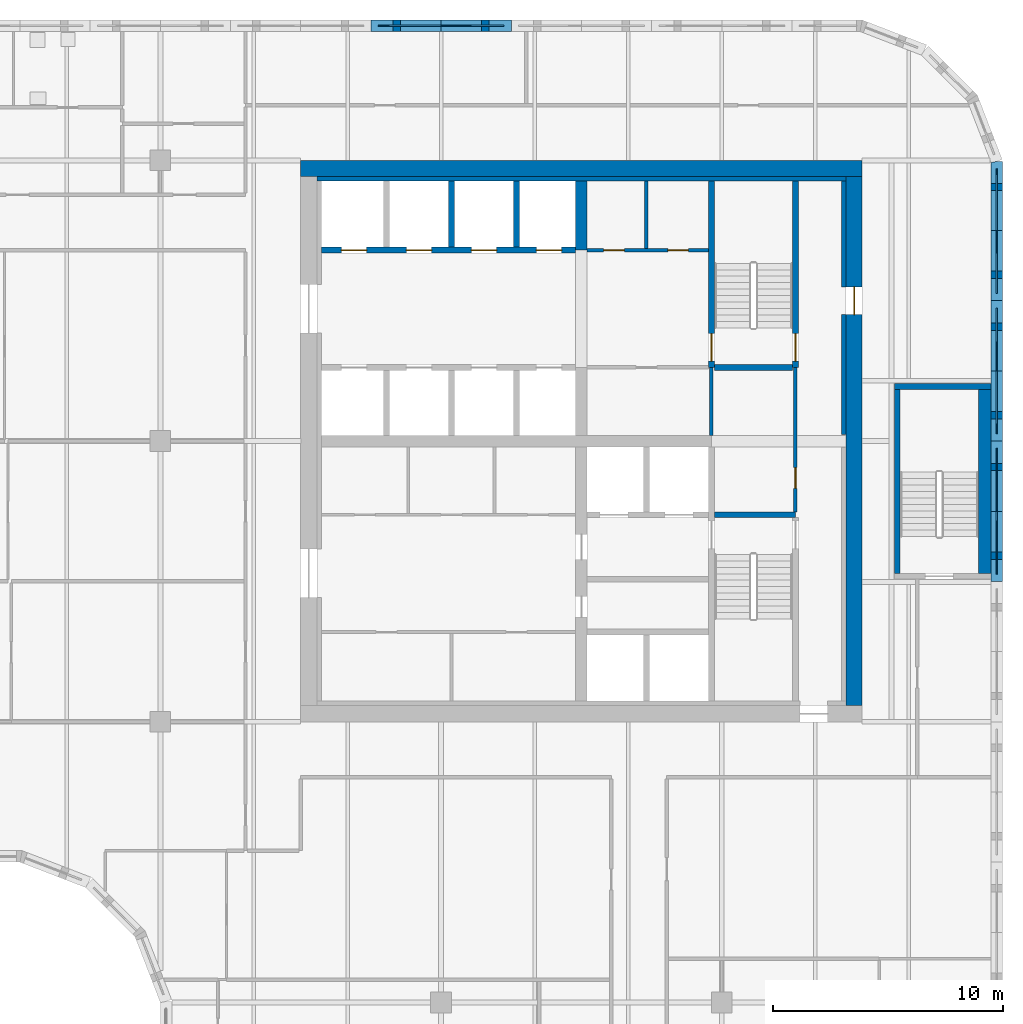
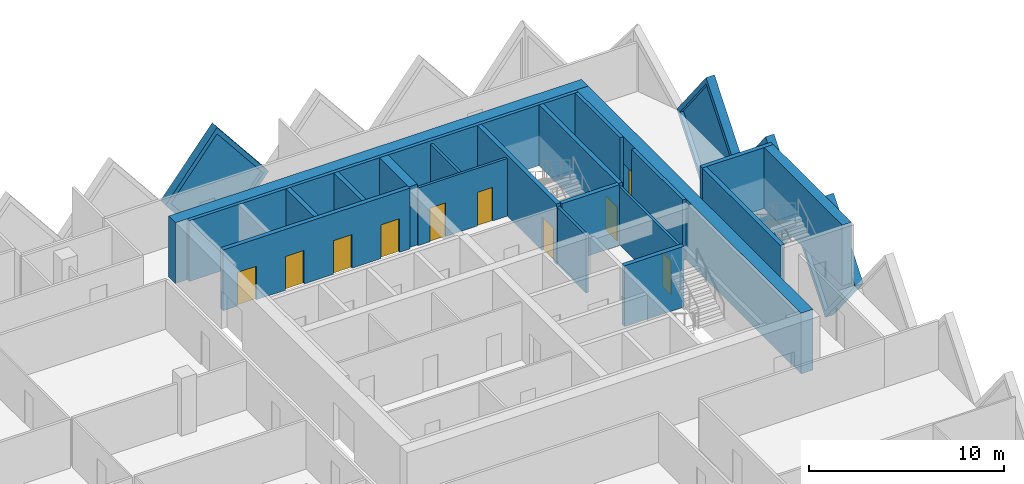
# One storey, part 9 of 13: 24 walls, 10 doors, 4 plates, 14 openings.
"""IFC4 building model written with IfcOpenShell, lengths in metres."""

from ifc_helpers import new_model, si_unit, direction, frame, frame_2d, origin, place, context, subcontext, project, spatial, polyline, rectangle, outline, extrude, faceted_brep, source, transform, mapped, material, layer, layer_set, type_object, element, fill, save


model = new_model("IFC4")

# Units and contexts
model_context = context("Model", 3, precision=1e-05, world=origin(), true_north=direction((0.0, 1.0)))
body_context = subcontext(model_context, "Body", "Model", "MODEL_VIEW")
ifc_project = project(units=[si_unit("LENGTHUNIT", "METRE"), si_unit("AREAUNIT", "SQUARE_METRE"), si_unit("VOLUMEUNIT", "CUBIC_METRE"), si_unit("PLANEANGLEUNIT", "RADIAN"), si_unit("MASSUNIT", "GRAM", prefix="KILO")], contexts=[model_context])

# Site, building, storey
site_placement = place(None, origin())
site = spatial("IfcSite", under=ifc_project, at=site_placement, CompositionType="ELEMENT")
building_placement = place(site_placement, origin())
building = spatial("IfcBuilding", under=site, at=building_placement, Name="Tessera Gate Towers", CompositionType="ELEMENT")
storey_placement = place(building_placement, frame((0.0, 0.0, 120.199951171875)))
storey = spatial("IfcBuildingStorey", under=building, at=storey_placement, Name="L29", CompositionType="ELEMENT", Elevation=120.199951171875)

# Wall, openings, doors
ifc_material_1 = material(Name="Concrete C40/50", Category="concrete")
ifc_layer_1 = layer(ifc_material_1, 0.25)
ifc_layer_set_1 = layer_set([ifc_layer_1], Name="CORE ENCLOSURE WALL 250")
wall_type_1 = type_object("IfcWallType", Name="CORE ENCLOSURE WALL 250", PredefinedType="SOLIDWALL", material=ifc_layer_set_1)
wall_1_placement = place(storey_placement, frame((42.449951171875, 44.89990234375, 0.0), z_axis=(0.0, 0.0, 1.0), x_axis=(-1.0, 0.0, 0.0)))
wall_1 = element("IfcWall", 1, at=wall_1_placement, inside=storey, type_object=wall_type_1, Name="L29 shaft and stair enclosure wall", PredefinedType="SOLIDWALL", context=body_context, shape_type="SweptSolid", body=[
    extrude(rectangle(XDim=11.050048828125, YDim=0.25, at=frame_2d((5.52490234375, 0.0))), origin(), (0.0, 0.0, 1.0), 3.800048828125),
])
shared_shape_1 = source(origin(), body_context, "Body", "SweptSolid", [
    extrude(rectangle(XDim=1.10009765625, YDim=2.10009765625, at=frame_2d((0.550048828125, 1.050048828125))), frame((0.0, 0.135009765625, 0.0), z_axis=(0.0, -1.0, 0.0), x_axis=(1.0, 0.0, 0.0)), (0.0, 0.0, 1.0), 0.27001953125),
])
opening_1_placement = place(wall_1_placement, frame((9.08740234375, 0.0, 0.0)))
opening_1 = element("IfcOpeningElement", 2, at=opening_1_placement, cuts=wall_1, Name="Opening LD-HR5", PredefinedType="OPENING", context=body_context, shape_type="MappedRepresentation", body=[
    mapped(shared_shape_1, transform((0.0, 0.0, 0.0), scale=1.0)),
])
opening_2_placement = place(wall_1_placement, frame((6.262451171875, 0.0, 0.0)))
opening_2 = element("IfcOpeningElement", 3, at=opening_2_placement, cuts=wall_1, Name="Opening LD-HR6", PredefinedType="OPENING", context=body_context, shape_type="MappedRepresentation", body=[
    mapped(shared_shape_1, transform((0.0, 0.0, 0.0), scale=1.0)),
])
opening_3_placement = place(wall_1_placement, frame((3.4375, 0.0, 0.0)))
opening_3 = element("IfcOpeningElement", 4, at=opening_3_placement, cuts=wall_1, Name="Opening LD-HR7", PredefinedType="OPENING", context=body_context, shape_type="MappedRepresentation", body=[
    mapped(shared_shape_1, transform((0.0, 0.0, 0.0), scale=1.0)),
])
opening_4_placement = place(wall_1_placement, frame((0.612548828125, 0.0, 0.0)))
opening_4 = element("IfcOpeningElement", 5, at=opening_4_placement, cuts=wall_1, Name="Opening LD-HR8", PredefinedType="OPENING", context=body_context, shape_type="MappedRepresentation", body=[
    mapped(shared_shape_1, transform((0.0, 0.0, 0.0), scale=1.0)),
])
ifc_material_2 = material(Name="Stainless steel", Category="steel")
door_type_1 = type_object("IfcDoorType", Name="CORE DOOR LD 1100x2100", OperationType="DOUBLE_DOOR_SLIDING", PredefinedType="DOOR", material=ifc_material_2)
shared_shape_2 = source(origin(), body_context, "Body", "SweptSolid", [
    extrude(rectangle(XDim=1.10009765625, YDim=2.10009765625, at=frame_2d((0.550048828125, 1.050048828125))), frame((0.0, 0.02490234375, 0.0), z_axis=(0.0, -1.0, 0.0), x_axis=(1.0, 0.0, 0.0)), (0.0, 0.0, 1.0), 0.050048828125),
])
door_1_placement = place(opening_1_placement, origin())
door_1 = element("IfcDoor", 6, at=door_1_placement, inside=storey, type_object=door_type_1, Name="Landing door HR5 L29", OperationType="DOUBLE_DOOR_SLIDING", OverallHeight=2.10009765625, OverallWidth=1.10009765625, PredefinedType="DOOR", context=body_context, shape_type="MappedRepresentation", body=[
    mapped(shared_shape_2, transform((0.0, 0.0, 0.0), scale=1.0)),
])
fill(opening_1, door_1)
door_2_placement = place(opening_2_placement, origin())
door_2 = element("IfcDoor", 7, at=door_2_placement, inside=storey, type_object=door_type_1, Name="Landing door HR6 L29", OperationType="DOUBLE_DOOR_SLIDING", OverallHeight=2.10009765625, OverallWidth=1.10009765625, PredefinedType="DOOR", context=body_context, shape_type="MappedRepresentation", body=[
    mapped(shared_shape_2, transform((0.0, 0.0, 0.0), scale=1.0)),
])
fill(opening_2, door_2)
door_3_placement = place(opening_3_placement, origin())
door_3 = element("IfcDoor", 8, at=door_3_placement, inside=storey, type_object=door_type_1, Name="Landing door HR7 L29", OperationType="DOUBLE_DOOR_SLIDING", OverallHeight=2.10009765625, OverallWidth=1.10009765625, PredefinedType="DOOR", context=body_context, shape_type="MappedRepresentation", body=[
    mapped(shared_shape_2, transform((0.0, 0.0, 0.0), scale=1.0)),
])
fill(opening_3, door_3)
door_4_placement = place(opening_4_placement, origin())
door_4 = element("IfcDoor", 9, at=door_4_placement, inside=storey, type_object=door_type_1, Name="Landing door HR8 L29", OperationType="DOUBLE_DOOR_SLIDING", OverallHeight=2.10009765625, OverallWidth=1.10009765625, PredefinedType="DOOR", context=body_context, shape_type="MappedRepresentation", body=[
    mapped(shared_shape_2, transform((0.0, 0.0, 0.0), scale=1.0)),
])
fill(opening_4, door_4)

# Wall
wall_2_placement = place(storey_placement, frame((48.47509765625, 33.39990234375, 0.0), z_axis=(0.0, 0.0, 1.0), x_axis=(1.0, 0.0, 0.0)))
element("IfcWall", 10, at=wall_2_placement, inside=storey, type_object=wall_type_1, Name="L29 shaft and stair enclosure wall", PredefinedType="SOLIDWALL", context=body_context, shape_type="SweptSolid", body=[
    extrude(rectangle(XDim=3.52490234375, YDim=0.25, at=frame_2d((1.762451171875, 0.0))), origin(), (0.0, 0.0, 1.0), 3.800048828125),
])

# Wall, opening, door
wall_3_placement = place(storey_placement, frame((48.35009765625, 47.89990234375, 0.0), z_axis=(0.0, 0.0, 1.0), x_axis=(0.0, -1.0, 0.0)))
wall_3 = element("IfcWall", 11, at=wall_3_placement, inside=storey, type_object=wall_type_1, Name="L29 shaft and stair enclosure wall", PredefinedType="SOLIDWALL", context=body_context, shape_type="SweptSolid", body=[
    extrude(rectangle(XDim=8.099853515625, YDim=0.25, at=frame_2d((4.0498046875, 0.0))), origin(), (0.0, 0.0, 1.0), 3.800048828125),
])
shared_shape_3 = source(origin(), body_context, "Body", "SweptSolid", [
    extrude(rectangle(XDim=1.199951171875, YDim=2.10009765625, at=frame_2d((0.60009765625, 1.050048828125))), frame((0.0, 0.135009765625, 0.0), z_axis=(0.0, -1.0, 0.0), x_axis=(1.0, 0.0, 0.0)), (0.0, 0.0, 1.0), 0.27001953125),
])
opening_5_placement = place(wall_3_placement, frame((6.625, 0.0, 0.0)))
opening_5 = element("IfcOpeningElement", 12, at=opening_5_placement, cuts=wall_3, Name="Opening SD-ST2-1", PredefinedType="OPENING", context=body_context, shape_type="MappedRepresentation", body=[
    mapped(shared_shape_3, transform((0.0, 0.0, 0.0), scale=1.0)),
])
ifc_material_3 = material(Name="Hollow steel fire door", Category="steel")
door_type_2 = type_object("IfcDoorType", Name="CORE DOOR SD 1200x2100", OperationType="NOTDEFINED", PredefinedType="DOOR", material=ifc_material_3)
shared_shape_4 = source(origin(), body_context, "Body", "SweptSolid", [
    extrude(rectangle(XDim=1.199951171875, YDim=2.10009765625, at=frame_2d((0.60009765625, 1.050048828125))), frame((0.0, 0.02490234375, 0.0), z_axis=(0.0, -1.0, 0.0), x_axis=(1.0, 0.0, 0.0)), (0.0, 0.0, 1.0), 0.050048828125),
])
door_5_placement = place(opening_5_placement, origin())
door_5 = element("IfcDoor", 13, at=door_5_placement, inside=storey, type_object=door_type_2, Name="Stair door", OperationType="SINGLE_SWING_RIGHT", OverallHeight=2.10009765625, OverallWidth=1.199951171875, PredefinedType="DOOR", context=body_context, shape_type="MappedRepresentation", body=[
    mapped(shared_shape_4, transform((0.0, 0.0, 0.0), scale=1.0)),
])
fill(opening_5, door_5)

wall_4_placement = place(storey_placement, frame((52.0, 39.800048828125, 0.0), z_axis=(0.0, 0.0, 1.0), x_axis=(0.0, 1.0, 0.0)))
wall_4 = element("IfcWall", 14, at=wall_4_placement, inside=storey, type_object=wall_type_1, Name="L29 shaft and stair enclosure wall", PredefinedType="SOLIDWALL", context=body_context, shape_type="SweptSolid", body=[
    extrude(rectangle(XDim=8.099853515625, YDim=0.25, at=frame_2d((4.0498046875, 0.0))), origin(), (0.0, 0.0, 1.0), 3.800048828125),
])
opening_6_placement = place(wall_4_placement, frame((0.27490234375, 0.0, 0.0)))
opening_6 = element("IfcOpeningElement", 15, at=opening_6_placement, cuts=wall_4, Name="Opening SD-ST2-2", PredefinedType="OPENING", context=body_context, shape_type="MappedRepresentation", body=[
    mapped(shared_shape_3, transform((0.0, 0.0, 0.0), scale=1.0)),
])
door_6_placement = place(opening_6_placement, origin())
door_6 = element("IfcDoor", 16, at=door_6_placement, inside=storey, type_object=door_type_2, Name="Stair door", OperationType="SINGLE_SWING_LEFT", OverallHeight=2.10009765625, OverallWidth=1.199951171875, PredefinedType="DOOR", context=body_context, shape_type="MappedRepresentation", body=[
    mapped(shared_shape_4, transform((0.0, 0.0, 0.0), scale=1.0)),
])
fill(opening_6, door_6)

# Walls
wall_5_placement = place(storey_placement, frame((48.47509765625, 39.800048828125, 0.0), z_axis=(0.0, 0.0, 1.0), x_axis=(1.0, 0.0, 0.0)))
element("IfcWall", 17, at=wall_5_placement, inside=storey, type_object=wall_type_1, Name="L29 shaft and stair enclosure wall", PredefinedType="SOLIDWALL", context=body_context, shape_type="SweptSolid", body=[
    extrude(rectangle(XDim=3.39990234375, YDim=0.25, at=frame_2d((1.699951171875, 0.0))), origin(), (0.0, 0.0, 1.0), 3.800048828125),
])
for number, where, z_axis, x_axis, name in (
    (18, (37.050048828125, 45.02490234375, 0.0), (0.0, 0.0, 1.0), (0.0, 1.0, 0.0), "L29 shaft and stair enclosure wall"),
    (19, (39.875, 45.02490234375, 0.0), (0.0, 0.0, 1.0), (0.0, 1.0, 0.0), "L29 shaft and stair enclosure wall"),
):
    element("IfcWall", number, at=place(storey_placement, frame(where, z_axis=z_axis, x_axis=x_axis)), inside=storey, type_object=wall_type_1, Name=name, PredefinedType="SOLIDWALL", context=body_context, shape_type="SweptSolid", body=[
        extrude(rectangle(XDim=2.875, YDim=0.25, at=frame_2d((1.4375, 0.0))), origin(), (0.0, 0.0, 1.0), 3.800048828125),
    ])
wall_6_placement = place(storey_placement, frame((56.425048828125, 30.85009765625, 0.0), z_axis=(0.0, 0.0, 1.0), x_axis=(0.0, 1.0, 0.0)))
element("IfcWall", 20, at=wall_6_placement, inside=storey, type_object=wall_type_1, Name="L29 ST5 enclosure wall", PredefinedType="SOLIDWALL", context=body_context, shape_type="SweptSolid", body=[
    extrude(rectangle(XDim=8.0, YDim=0.25, at=frame_2d((4.0, 0.0))), origin(), (0.0, 0.0, 1.0), 3.800048828125),
])
wall_7_placement = place(storey_placement, frame((56.300048828125, 38.97509765625, 0.0), z_axis=(0.0, 0.0, 1.0), x_axis=(1.0, 0.0, 0.0)))
element("IfcWall", 21, at=wall_7_placement, inside=storey, type_object=wall_type_1, Name="L29 ST5 enclosure wall", PredefinedType="SOLIDWALL", context=body_context, shape_type="SweptSolid", body=[
    extrude(rectangle(XDim=4.199951171875, YDim=0.25, at=frame_2d((2.10009765625, 0.0))), origin(), (0.0, 0.0, 1.0), 3.800048828125),
])
ifc_material_4 = material(Name="Concrete C40/50", Category="concrete")
ifc_layer_2 = layer(ifc_material_4, 0.550048828125)
ifc_layer_set_2 = layer_set([ifc_layer_2], Name="CORE ENCLOSURE WALL 550")
wall_type_2 = type_object("IfcWallType", Name="CORE ENCLOSURE WALL 550", PredefinedType="SOLIDWALL", material=ifc_layer_set_2)
wall_8_placement = place(storey_placement, frame((60.22509765625, 38.85009765625, 0.0), z_axis=(0.0, 0.0, 1.0), x_axis=(0.0, -1.0, 0.0)))
element("IfcWall", 22, at=wall_8_placement, inside=storey, type_object=wall_type_2, Name="L29 ST5 enclosure wall", PredefinedType="SOLIDWALL", context=body_context, shape_type="SweptSolid", body=[
    extrude(rectangle(XDim=8.0, YDim=0.550048828125, at=frame_2d((4.0, 0.0))), origin(), (0.0, 0.0, 1.0), 3.800048828125),
])
ifc_material_5 = material(Name="Concrete C60/75", Category="concrete")
ifc_layer_3 = layer(ifc_material_5, 0.699951171875)
ifc_layer_set_3 = layer_set([ifc_layer_3], Name="CORE SHEAR WALL 700 C60/75")
wall_type_3 = type_object("IfcWallType", Name="CORE SHEAR WALL 700 C60/75", PredefinedType="SHEAR", material=ifc_layer_set_3)
wall_9_placement = place(storey_placement, frame((30.5, 48.449951171875, 0.0), z_axis=(0.0, 0.0, 1.0), x_axis=(1.0, 0.0, 0.0)))
element("IfcWall", 23, at=wall_9_placement, inside=storey, type_object=wall_type_3, Name="Core wall N L29", PredefinedType="SHEAR", context=body_context, shape_type="SweptSolid", body=[
    extrude(rectangle(XDim=24.39990234375, YDim=0.699951171875, at=frame_2d((12.199951171875, 0.0))), origin(), (0.0, 0.0, 1.0), 3.800048828125),
])

# Wall, opening, door
wall_10_placement = place(storey_placement, frame((54.550048828125, 48.10009765625, 0.0), z_axis=(0.0, 0.0, 1.0), x_axis=(0.0, -1.0, 0.0)))
wall_10 = element("IfcWall", 24, at=wall_10_placement, inside=storey, type_object=wall_type_3, Name="Core wall E L29", PredefinedType="SHEAR", context=body_context, shape_type="SweptSolid", body=[
    extrude(rectangle(XDim=23.0, YDim=0.699951171875, at=frame_2d((11.5, 0.0))), origin(), (0.0, 0.0, 1.0), 3.800048828125),
])
shared_shape_5 = source(origin(), body_context, "Body", "SweptSolid", [
    extrude(rectangle(XDim=1.199951171875, YDim=2.10009765625, at=frame_2d((0.60009765625, 1.050048828125))), frame((0.0, 0.35986328125, 0.0), z_axis=(0.0, -1.0, 0.0), x_axis=(1.0, 0.0, 0.0)), (0.0, 0.0, 1.0), 0.719970703125),
])
opening_7_placement = place(wall_10_placement, frame((4.800048828125, 0.0, 0.0)))
opening_7 = element("IfcOpeningElement", 25, at=opening_7_placement, cuts=wall_10, Name="Opening ED-T1-21-04", PredefinedType="OPENING", context=body_context, shape_type="MappedRepresentation", body=[
    mapped(shared_shape_5, transform((0.0, 0.0, 0.0), scale=1.0)),
])
ifc_material_6 = material(Name="Hollow steel fire door", Category="steel")
door_type_3 = type_object("IfcDoorType", Name="CORE DOOR ED 1200x2100", OperationType="NOTDEFINED", PredefinedType="DOOR", material=ifc_material_6)
door_7_placement = place(opening_7_placement, origin())
door_7 = element("IfcDoor", 26, at=door_7_placement, inside=storey, type_object=door_type_3, Name="Core exit door", OperationType="SINGLE_SWING_LEFT", OverallHeight=2.10009765625, OverallWidth=1.199951171875, PredefinedType="DOOR", context=body_context, shape_type="MappedRepresentation", body=[
    mapped(shared_shape_4, transform((0.0, 0.0, 0.0), scale=1.0)),
])
fill(opening_7, door_7)

# Walls
ifc_material_7 = material(Name="Concrete C60/75", Category="concrete")
ifc_layer_4 = layer(ifc_material_7, 0.5)
ifc_layer_set_4 = layer_set([ifc_layer_4], Name="CORE SPINE WALL 500 C60/75")
wall_type_4 = type_object("IfcWallType", Name="CORE SPINE WALL 500 C60/75", PredefinedType="SHEAR", material=ifc_layer_set_4)
wall_11_placement = place(storey_placement, frame((42.699951171875, 44.89990234375, 0.0), z_axis=(0.0, 0.0, 1.0), x_axis=(0.0, 1.0, 0.0)))
element("IfcWall", 27, at=wall_11_placement, inside=storey, type_object=wall_type_4, Name="Core wall spine L29", PredefinedType="SHEAR", context=body_context, shape_type="SweptSolid", body=[
    extrude(rectangle(XDim=3.0, YDim=0.5, at=frame_2d((1.5, 0.0))), origin(), (0.0, 0.0, 1.0), 3.800048828125),
])
ifc_material_8 = material(Name="Concrete C60/75", Category="concrete")
ifc_layer_5 = layer(ifc_material_8, 0.199951171875)
ifc_layer_set_5 = layer_set([ifc_layer_5], Name="CORE WALL THICKENING 200")
wall_type_5 = type_object("IfcWallType", Name="CORE WALL THICKENING 200", PredefinedType="SOLIDWALL", material=ifc_layer_set_5)
wall_12_placement = place(storey_placement, frame((31.199951171875, 48.0, 0.0), z_axis=(0.0, 0.0, 1.0), x_axis=(1.0, 0.0, 0.0)))
element("IfcWall", 28, at=wall_12_placement, inside=storey, type_object=wall_type_5, Name="Core wall thickening N L29", PredefinedType="SOLIDWALL", context=body_context, shape_type="SweptSolid", body=[
    extrude(rectangle(XDim=23.0, YDim=0.199951171875, at=frame_2d((11.5, 0.0))), origin(), (0.0, 0.0, 1.0), 3.800048828125),
])
wall_13_placement = place(storey_placement, frame((54.10009765625, 36.8798828125, 0.0), z_axis=(0.0, 0.0, 1.0), x_axis=(0.0, 1.0, 0.0)))
element("IfcWall", 29, at=wall_13_placement, inside=storey, type_object=wall_type_5, Name="Core wall thickening E L29", PredefinedType="SOLIDWALL", context=body_context, shape_type="SweptSolid", body=[
    extrude(rectangle(XDim=5.22021484375, YDim=0.199951171875, at=frame_2d((2.610107421875, 0.0))), origin(), (0.0, 0.0, 1.0), 3.800048828125),
])
wall_14_placement = place(storey_placement, frame((54.10009765625, 43.300048828125, 0.0), z_axis=(0.0, 0.0, 1.0), x_axis=(0.0, 1.0, 0.0)))
element("IfcWall", 30, at=wall_14_placement, inside=storey, type_object=wall_type_5, Name="Core wall thickening E L29", PredefinedType="SOLIDWALL", context=body_context, shape_type="SweptSolid", body=[
    extrude(rectangle(XDim=4.599853515625, YDim=0.199951171875, at=frame_2d((2.2998046875, 0.0))), origin(), (0.0, 0.0, 1.0), 3.800048828125),
])

# Wall, opening, door
ifc_material_9 = material(Name="Gypsum board on steel studs", Category="steel")
ifc_layer_6 = layer(ifc_material_9, 0.14990234375)
ifc_layer_set_6 = layer_set([ifc_layer_6], Name="SERVICE ROOM WALL 150")
wall_type_6 = type_object("IfcWallType", Name="SERVICE ROOM WALL 150", PredefinedType="PARTITIONING", material=ifc_layer_set_6)
wall_15_placement = place(storey_placement, frame((52.0, 33.52490234375, 0.0), z_axis=(0.0, 0.0, 1.0), x_axis=(0.0, 1.0, 0.0)))
wall_15 = element("IfcWall", 31, at=wall_15_placement, inside=storey, type_object=wall_type_6, Name="L29 service room wall", PredefinedType="PARTITIONING", context=body_context, shape_type="SweptSolid", body=[
    extrude(rectangle(XDim=6.275146484375, YDim=0.14990234375, at=frame_2d((3.1376953125, 0.0))), origin(), (0.0, 0.0, 1.0), 3.60009765625),
])
shared_shape_6 = source(origin(), body_context, "Body", "SweptSolid", [
    extrude(rectangle(XDim=0.89990234375, YDim=2.10009765625, at=frame_2d((0.449951171875, 1.050048828125))), frame((0.0, 0.0849609375, 0.0), z_axis=(0.0, -1.0, 0.0), x_axis=(1.0, 0.0, 0.0)), (0.0, 0.0, 1.0), 0.169921875),
])
opening_8_placement = place(wall_15_placement, frame((1.02490234375, 0.0, 0.0)))
opening_8 = element("IfcOpeningElement", 32, at=opening_8_placement, cuts=wall_15, Name="Opening RD-T1-21-12", PredefinedType="OPENING", context=body_context, shape_type="MappedRepresentation", body=[
    mapped(shared_shape_6, transform((0.0, 0.0, 0.0), scale=1.0)),
])
ifc_material_10 = material(Name="Hollow steel fire door", Category="steel")
door_type_4 = type_object("IfcDoorType", Name="CORE DOOR RD 900x2100", OperationType="NOTDEFINED", PredefinedType="DOOR", material=ifc_material_10)
shared_shape_7 = source(origin(), body_context, "Body", "SweptSolid", [
    extrude(rectangle(XDim=0.89990234375, YDim=2.10009765625, at=frame_2d((0.449951171875, 1.050048828125))), frame((0.0, 0.02490234375, 0.0), z_axis=(0.0, -1.0, 0.0), x_axis=(1.0, 0.0, 0.0)), (0.0, 0.0, 1.0), 0.050048828125),
])
door_8_placement = place(opening_8_placement, origin())
door_8 = element("IfcDoor", 33, at=door_8_placement, inside=storey, type_object=door_type_4, Name="Core room door", OperationType="SINGLE_SWING_LEFT", OverallHeight=2.10009765625, OverallWidth=0.89990234375, PredefinedType="DOOR", context=body_context, shape_type="MappedRepresentation", body=[
    mapped(shared_shape_7, transform((0.0, 0.0, 0.0), scale=1.0)),
])
fill(opening_8, door_8)

# Wall, openings, doors
wall_16_placement = place(storey_placement, frame((42.949951171875, 44.89990234375, 0.0), z_axis=(0.0, 0.0, 1.0), x_axis=(1.0, 0.0, 0.0)))
wall_16 = element("IfcWall", 34, at=wall_16_placement, inside=storey, type_object=wall_type_6, Name="L29 service room wall", PredefinedType="PARTITIONING", context=body_context, shape_type="SweptSolid", body=[
    extrude(rectangle(XDim=5.275146484375, YDim=0.14990234375, at=frame_2d((2.6376953125, 0.0))), origin(), (0.0, 0.0, 1.0), 3.60009765625),
])
opening_9_placement = place(wall_16_placement, frame((0.71240234375, 0.0, 0.0)))
opening_9 = element("IfcOpeningElement", 35, at=opening_9_placement, cuts=wall_16, Name="Opening RD-T1-21-14", PredefinedType="OPENING", context=body_context, shape_type="MappedRepresentation", body=[
    mapped(shared_shape_6, transform((0.0, 0.0, 0.0), scale=1.0)),
])
opening_10_placement = place(wall_16_placement, frame((3.5, 0.0, 0.0)))
opening_10 = element("IfcOpeningElement", 36, at=opening_10_placement, cuts=wall_16, Name="Opening RD-T1-21-15", PredefinedType="OPENING", context=body_context, shape_type="MappedRepresentation", body=[
    mapped(shared_shape_6, transform((0.0, 0.0, 0.0), scale=1.0)),
])
door_9_placement = place(opening_9_placement, origin())
door_9 = element("IfcDoor", 37, at=door_9_placement, inside=storey, type_object=door_type_4, Name="Core room door", OperationType="SINGLE_SWING_LEFT", OverallHeight=2.10009765625, OverallWidth=0.89990234375, PredefinedType="DOOR", context=body_context, shape_type="MappedRepresentation", body=[
    mapped(shared_shape_7, transform((0.0, 0.0, 0.0), scale=1.0)),
])
fill(opening_9, door_9)
door_10_placement = place(opening_10_placement, origin())
door_10 = element("IfcDoor", 38, at=door_10_placement, inside=storey, type_object=door_type_4, Name="Core room door", OperationType="SINGLE_SWING_RIGHT", OverallHeight=2.10009765625, OverallWidth=0.89990234375, PredefinedType="DOOR", context=body_context, shape_type="MappedRepresentation", body=[
    mapped(shared_shape_7, transform((0.0, 0.0, 0.0), scale=1.0)),
])
fill(opening_10, door_10)

# Walls
wall_17_placement = place(storey_placement, frame((48.35009765625, 36.85009765625, 0.0), z_axis=(0.0, 0.0, 1.0), x_axis=(0.0, 1.0, 0.0)))
element("IfcWall", 39, at=wall_17_placement, inside=storey, type_object=wall_type_6, Name="L29 service room wall", PredefinedType="PARTITIONING", context=body_context, shape_type="SweptSolid", body=[
    extrude(rectangle(XDim=2.949951171875, YDim=0.14990234375, at=frame_2d((1.47509765625, 0.0))), origin(), (0.0, 0.0, 1.0), 3.60009765625),
])
wall_18_placement = place(storey_placement, frame((45.52490234375, 44.97509765625, 0.0), z_axis=(0.0, 0.0, 1.0), x_axis=(0.0, 1.0, 0.0)))
element("IfcWall", 40, at=wall_18_placement, inside=storey, type_object=wall_type_6, Name="L29 service room wall", PredefinedType="PARTITIONING", context=body_context, shape_type="SweptSolid", body=[
    extrude(rectangle(XDim=2.9248046875, YDim=0.14990234375, at=frame_2d((1.46240234375, 0.0))), origin(), (0.0, 0.0, 1.0), 3.60009765625),
])

# Wall, opening, plate
ifc_material_11 = material(Name="Precast concrete C60/75 white", Category="concrete")
ifc_layer_7 = layer(ifc_material_11, 0.5)
ifc_layer_set_7 = layer_set([ifc_layer_7], Name="TS1 tessera")
wall_type_7 = type_object("IfcWallType", Name="TS1 tessera", PredefinedType="SOLIDWALL", material=ifc_layer_set_7)
shared_shape_8 = source(origin(), body_context, "Body", "Brep", [
    faceted_brep([(3.050048828125, -0.25, 0.0), (6.099853515625, -0.25, 3.7998046875), (6.099853515625, -0.25, 3.80029296875), (3.050048828125, -0.25, 7.60009765625), (0.0, -0.25, 3.800048828125), (0.0, 0.25, 3.800048828125), (3.050048828125, 0.25, 7.60009765625), (6.099853515625, 0.25, 3.80029296875), (6.099853515625, 0.25, 3.7998046875), (3.050048828125, 0.25, 0.0)], [[[0, 1, 2, 3, 4]], [[5, 6, 7, 8, 9]], [[9, 8, 1, 0]], [[7, 6, 3, 2]], [[6, 5, 4, 3]], [[5, 9, 0, 4]], [[1, 8, 7, 2]]]),
])
wall_19_placement = place(storey_placement, frame((60.75, 36.60009765625, -3.800048828125), z_axis=(0.0, 0.0, 1.0), x_axis=(0.0, 1.0, 0.0)))
wall_19 = element("IfcWall", 41, at=wall_19_placement, inside=storey, type_object=wall_type_7, Name="Precast tessera T1 TS1-0468", PredefinedType="SOLIDWALL", context=body_context, shape_type="MappedRepresentation", body=[
    mapped(shared_shape_8, transform((0.0, 0.0, 0.0), scale=1.0)),
])
shared_shape_9 = source(origin(), body_context, "Body", "SweptSolid", [
    extrude(outline(polyline([(3.050048828125, 0.3994140625), (5.779541015625, 3.800048828125), (3.050048828125, 7.20068359375), (0.320556640625, 3.800048828125), (3.050048828125, 0.3994140625)])), frame((0.0, 0.260009765625, 0.0), z_axis=(0.0, -1.0, 0.0), x_axis=(1.0, 0.0, 0.0)), (0.0, 0.0, 1.0), 0.52001953125),
])
opening_11_placement = place(wall_19_placement, origin())
opening_11 = element("IfcOpeningElement", 42, at=opening_11_placement, cuts=wall_19, Name="Opening T1-PL2-0954", PredefinedType="OPENING", context=body_context, shape_type="MappedRepresentation", body=[
    mapped(shared_shape_9, transform((0.0, 0.0, 0.0), scale=1.0)),
])
ifc_material_12 = material(Name="Low-e laminated glass", Category="glass")
ifc_layer_8 = layer(ifc_material_12, 0.06005859375)
ifc_layer_set_8 = layer_set([ifc_layer_8], Name="PL2 rhombic pane")
plate_type = type_object("IfcPlateType", Name="PL2 rhombic pane", PredefinedType="SHEET", material=ifc_layer_set_8)
shared_shape_10 = source(origin(), body_context, "Body", "SweptSolid", [
    extrude(outline(polyline([(3.050048828125, 0.3994140625), (5.779541015625, 3.800048828125), (3.050048828125, 7.20068359375), (0.320556640625, 3.800048828125), (3.050048828125, 0.3994140625)])), frame((0.0, 0.030029296875, 0.0), z_axis=(0.0, -1.0, 0.0), x_axis=(1.0, 0.0, 0.0)), (0.0, 0.0, 1.0), 0.06005859375),
])
plate_1_placement = place(opening_11_placement, origin())
plate_1 = element("IfcPlate", 43, at=plate_1_placement, inside=storey, type_object=plate_type, Name="Glass pane T1 PL2-0954", PredefinedType="SHEET", context=body_context, shape_type="MappedRepresentation", body=[
    mapped(shared_shape_10, transform((0.0, 0.0, 0.0), scale=1.0)),
])
fill(opening_11, plate_1)

wall_20_placement = place(storey_placement, frame((39.64990234375, 54.64990234375, -3.800048828125), z_axis=(0.0, 0.0, 1.0), x_axis=(-1.0, 0.0, 0.0)))
wall_20 = element("IfcWall", 44, at=wall_20_placement, inside=storey, type_object=wall_type_7, Name="Precast tessera T1 TS1-0472", PredefinedType="SOLIDWALL", context=body_context, shape_type="MappedRepresentation", body=[
    mapped(shared_shape_8, transform((0.0, 0.0, 0.0), scale=1.0)),
])
opening_12_placement = place(wall_20_placement, origin())
opening_12 = element("IfcOpeningElement", 45, at=opening_12_placement, cuts=wall_20, Name="Opening T1-PL2-0962", PredefinedType="OPENING", context=body_context, shape_type="MappedRepresentation", body=[
    mapped(shared_shape_9, transform((0.0, 0.0, 0.0), scale=1.0)),
])
plate_2_placement = place(opening_12_placement, origin())
plate_2 = element("IfcPlate", 46, at=plate_2_placement, inside=storey, type_object=plate_type, Name="Glass pane T1 PL2-0962", PredefinedType="SHEET", context=body_context, shape_type="MappedRepresentation", body=[
    mapped(shared_shape_10, transform((0.0, 0.0, 0.0), scale=1.0)),
])
fill(opening_12, plate_2)

shared_shape_11 = source(origin(), body_context, "Body", "SweptSolid", [
    extrude(outline(polyline([(3.050048828125, 0.0), (6.10009765625, 3.800048828125), (3.050048828125, 7.60009765625), (0.0, 3.800048828125), (3.050048828125, 0.0)])), frame((0.0, 0.25, 0.0), z_axis=(0.0, -1.0, 0.0), x_axis=(1.0, 0.0, 0.0)), (0.0, 0.0, 1.0), 0.5),
])
wall_21_placement = place(storey_placement, frame((60.75, 30.5, -3.800048828125), z_axis=(0.0, 0.0, 1.0), x_axis=(0.0, 1.0, 0.0)))
wall_21 = element("IfcWall", 47, at=wall_21_placement, inside=storey, type_object=wall_type_7, Name="Precast tessera T1 TS1-0467", PredefinedType="SOLIDWALL", context=body_context, shape_type="MappedRepresentation", body=[
    mapped(shared_shape_11, transform((0.0, 0.0, 0.0), scale=1.0)),
])
opening_13_placement = place(wall_21_placement, origin())
opening_13 = element("IfcOpeningElement", 48, at=opening_13_placement, cuts=wall_21, Name="Opening T1-PL2-0953", PredefinedType="OPENING", context=body_context, shape_type="MappedRepresentation", body=[
    mapped(shared_shape_9, transform((0.0, 0.0, 0.0), scale=1.0)),
])
plate_3_placement = place(opening_13_placement, origin())
plate_3 = element("IfcPlate", 49, at=plate_3_placement, inside=storey, type_object=plate_type, Name="Glass pane T1 PL2-0953", PredefinedType="SHEET", context=body_context, shape_type="MappedRepresentation", body=[
    mapped(shared_shape_10, transform((0.0, 0.0, 0.0), scale=1.0)),
])
fill(opening_13, plate_3)

shared_shape_12 = source(origin(), body_context, "Body", "Brep", [
    faceted_brep([(3.050048828125, -0.25, 0.0), (6.053466796875, -0.25, 3.800048828125), (3.050048828125, -0.25, 7.60009765625), (0.0, -0.25, 3.800048828125), (0.0, 0.25, 3.800048828125), (3.050048828125, 0.25, 7.60009765625), (6.0068359375, 0.25, 3.85888671875), (6.0068359375, 0.25, 3.7412109375), (3.050048828125, 0.25, 0.0), (6.053466796875, 0.0, 3.800048828125)], [[[0, 1, 2, 3]], [[4, 5, 6, 7, 8]], [[8, 7, 9, 1, 0]], [[6, 5, 2, 1, 9]], [[5, 4, 3, 2]], [[4, 8, 0, 3]], [[9, 7, 6]]]),
])
wall_22_placement = place(storey_placement, frame((60.75, 42.699951171875, -3.800048828125), z_axis=(0.0, 0.0, 1.0), x_axis=(0.0, 1.0, 0.0)))
wall_22 = element("IfcWall", 50, at=wall_22_placement, inside=storey, type_object=wall_type_7, Name="Precast tessera T1 TS1-0469", PredefinedType="SOLIDWALL", context=body_context, shape_type="MappedRepresentation", body=[
    mapped(shared_shape_12, transform((0.0, 0.0, 0.0), scale=1.0)),
])
shared_shape_13 = source(origin(), body_context, "Body", "SweptSolid", [
    extrude(outline(polyline([(3.048583984375, 0.4013671875), (5.73486328125, 3.800048828125), (3.048583984375, 7.19873046875), (0.320556640625, 3.800048828125), (3.048583984375, 0.4013671875)])), frame((0.0, 0.260009765625, 0.0), z_axis=(0.0, -1.0, 0.0), x_axis=(1.0, 0.0, 0.0)), (0.0, 0.0, 1.0), 0.52001953125),
])
opening_14_placement = place(wall_22_placement, origin())
opening_14 = element("IfcOpeningElement", 51, at=opening_14_placement, cuts=wall_22, Name="Opening T1-PL2-0955", PredefinedType="OPENING", context=body_context, shape_type="MappedRepresentation", body=[
    mapped(shared_shape_13, transform((0.0, 0.0, 0.0), scale=1.0)),
])
shared_shape_14 = source(origin(), body_context, "Body", "SweptSolid", [
    extrude(outline(polyline([(3.048583984375, 0.4013671875), (5.73486328125, 3.800048828125), (3.048583984375, 7.19873046875), (0.320556640625, 3.800048828125), (3.048583984375, 0.4013671875)])), frame((0.0, 0.030029296875, 0.0), z_axis=(0.0, -1.0, 0.0), x_axis=(1.0, 0.0, 0.0)), (0.0, 0.0, 1.0), 0.06005859375),
])
plate_4_placement = place(opening_14_placement, origin())
plate_4 = element("IfcPlate", 52, at=plate_4_placement, inside=storey, type_object=plate_type, Name="Glass pane T1 PL2-0955", PredefinedType="SHEET", context=body_context, shape_type="MappedRepresentation", body=[
    mapped(shared_shape_14, transform((0.0, 0.0, 0.0), scale=1.0)),
])
fill(opening_14, plate_4)

save(model, "model.ifc")
